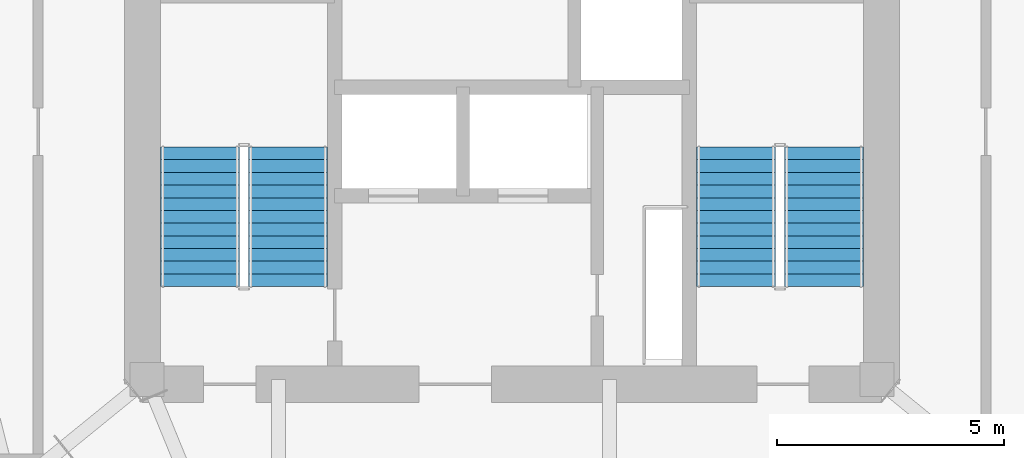
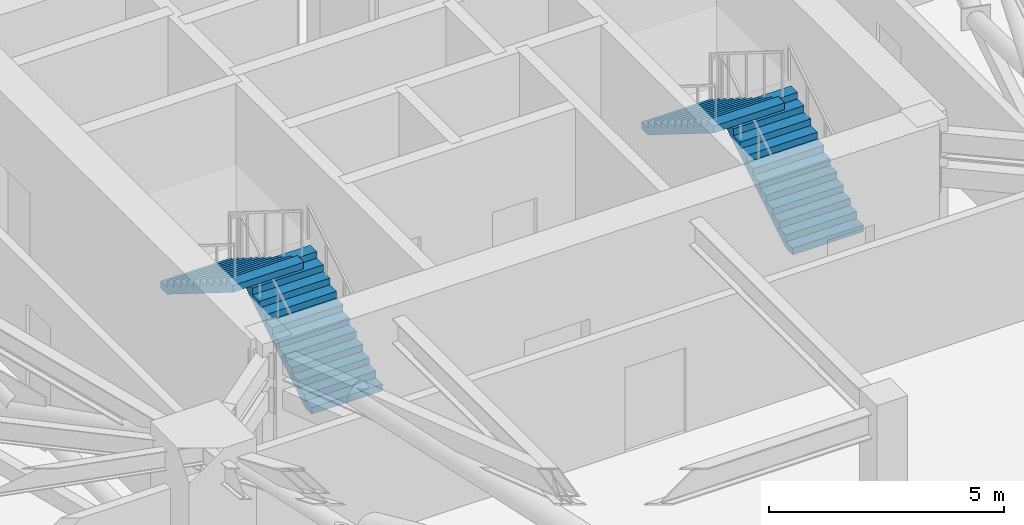
# One storey, part 14 of 15: 4 stair flights, 2 elements without a shape of their own.
"""IFC4 building model written with IfcOpenShell, lengths in metres."""

from ifc_helpers import new_model, si_unit, direction, frame, origin, place, context, subcontext, project, spatial, polyline, outline, extrude, material, type_object, element, aggregate, save


model = new_model("IFC4")

# Units and contexts
model_context = context("Model", 3, precision=1e-05, world=origin(), true_north=direction((0.0, 1.0)))
body_context = subcontext(model_context, "Body", "Model", "MODEL_VIEW")
ifc_project = project(units=[si_unit("LENGTHUNIT", "METRE"), si_unit("AREAUNIT", "SQUARE_METRE"), si_unit("VOLUMEUNIT", "CUBIC_METRE"), si_unit("PLANEANGLEUNIT", "RADIAN"), si_unit("MASSUNIT", "GRAM", prefix="KILO")], contexts=[model_context])

# Site, building, storey
site_placement = place(None, origin())
site = spatial("IfcSite", under=ifc_project, at=site_placement, CompositionType="ELEMENT")
building_placement = place(site_placement, origin())
building = spatial("IfcBuilding", under=site, at=building_placement, Name="Talyreon Biosciences Tower", CompositionType="ELEMENT")
storey_placement = place(building_placement, frame((0.0, 0.0, 118.800048828125)))
storey = spatial("IfcBuildingStorey", under=building, at=storey_placement, Name="L31", CompositionType="ELEMENT", Elevation=118.800048828125)

# Stair, stair flights
ifc_material = material(Name="Concrete C40/50", Category="concrete")
stair_type = type_object("IfcStairType", Name="DoglegEscapeStair_4200", PredefinedType="HALF_TURN_STAIR", material=ifc_material)
stair_1_placement = place(storey_placement, origin())
stair_1 = element("IfcStair", 1, at=stair_1_placement, inside=storey, type_object=stair_type, Name="L31 Core Escape Stair 1", PredefinedType="HALF_TURN_STAIR")
stair_flight_type = type_object("IfcStairFlightType", Name="PrecastStairFlight_4200", PredefinedType="STRAIGHT", material=ifc_material)
stair_flight_1_placement = place(storey_placement, frame((61.06005859375, 63.39990234375, 0.0), z_axis=(0.0, 0.0, 1.0), x_axis=(0.0, 1.0, 0.0)))
stair_flight_1 = element("IfcStairFlight", 2, at=stair_flight_1_placement, type_object=stair_flight_type, Name="ST-1 flight 1", NumberOfRisers=12, NumberOfTreads=11, PredefinedType="STRAIGHT", RiserHeight=0.175, TreadLength=0.28, context=body_context, shape_type="SweptSolid", body=[
    extrude(outline(polyline([(0.0, 0.0), (0.0, 0.175048828125), (0.280029296875, 0.175048828125), (0.280029296875, 0.35009765625), (0.56005859375, 0.35009765625), (0.56005859375, 0.52490234375), (0.840087890625, 0.52490234375), (0.840087890625, 0.699951171875), (1.1201171875, 0.699951171875), (1.1201171875, 0.875), (1.39990234375, 0.875), (1.39990234375, 1.050048828125), (1.679931640625, 1.050048828125), (1.679931640625, 1.22509765625), (1.9599609375, 1.22509765625), (1.9599609375, 1.39990234375), (2.239990234375, 1.39990234375), (2.239990234375, 1.574951171875), (2.52001953125, 1.574951171875), (2.52001953125, 1.75), (2.800048828125, 1.75), (2.800048828125, 1.925048828125), (3.080078125, 1.925048828125), (3.080078125, 2.10009765625), (3.080078125, 1.748291015625), (0.28271484375, 0.0), (0.0, 0.0)])), frame((0.0, 0.8701171875, 0.0), z_axis=(0.0, -1.0, 0.0), x_axis=(1.0, 0.0, 0.0)), (0.0, 0.0, 1.0), 1.739990234375),
])
stair_flight_2_placement = place(storey_placement, frame((59.1201171875, 66.47998046875, 2.099853515625), z_axis=(0.0, 0.0, 1.0), x_axis=(0.0, -1.0, 0.0)))
stair_flight_2 = element("IfcStairFlight", 3, at=stair_flight_2_placement, type_object=stair_flight_type, Name="ST-1 flight 2", NumberOfRisers=12, NumberOfTreads=11, PredefinedType="STRAIGHT", RiserHeight=0.175, TreadLength=0.28, context=body_context, shape_type="SweptSolid", body=[
    extrude(outline(polyline([(0.0, 0.0), (0.0, 0.175048828125), (0.280029296875, 0.175048828125), (0.280029296875, 0.35009765625), (0.56005859375, 0.35009765625), (0.56005859375, 0.52490234375), (0.840087890625, 0.52490234375), (0.840087890625, 0.699951171875), (1.1201171875, 0.699951171875), (1.1201171875, 0.875), (1.39990234375, 0.875), (1.39990234375, 1.050048828125), (1.679931640625, 1.050048828125), (1.679931640625, 1.22509765625), (1.9599609375, 1.22509765625), (1.9599609375, 1.39990234375), (2.239990234375, 1.39990234375), (2.239990234375, 1.574951171875), (2.52001953125, 1.574951171875), (2.52001953125, 1.75), (2.800048828125, 1.75), (2.800048828125, 1.925048828125), (3.080078125, 1.925048828125), (3.080078125, 2.10009765625), (3.080078125, 1.748291015625), (0.28271484375, 0.0), (0.0, 0.0)])), frame((0.0, 0.8701171875, 0.0), z_axis=(0.0, -1.0, 0.0), x_axis=(1.0, 0.0, 0.0)), (0.0, 0.0, 1.0), 1.739990234375),
])
aggregate(stair_1, [stair_flight_1, stair_flight_2])

stair_2_placement = place(storey_placement, origin())
stair_2 = element("IfcStair", 4, at=stair_2_placement, inside=storey, type_object=stair_type, Name="L31 Core Escape Stair 2", PredefinedType="HALF_TURN_STAIR")
stair_flight_3_placement = place(storey_placement, frame((72.8798828125, 63.39990234375, 0.0), z_axis=(0.0, 0.0, 1.0), x_axis=(0.0, 1.0, 0.0)))
stair_flight_3 = element("IfcStairFlight", 5, at=stair_flight_3_placement, type_object=stair_flight_type, Name="ST-2 flight 1", NumberOfRisers=12, NumberOfTreads=11, PredefinedType="STRAIGHT", RiserHeight=0.175, TreadLength=0.28, context=body_context, shape_type="SweptSolid", body=[
    extrude(outline(polyline([(0.0, 0.0), (0.0, 0.175048828125), (0.280029296875, 0.175048828125), (0.280029296875, 0.35009765625), (0.56005859375, 0.35009765625), (0.56005859375, 0.52490234375), (0.840087890625, 0.52490234375), (0.840087890625, 0.699951171875), (1.1201171875, 0.699951171875), (1.1201171875, 0.875), (1.39990234375, 0.875), (1.39990234375, 1.050048828125), (1.679931640625, 1.050048828125), (1.679931640625, 1.22509765625), (1.9599609375, 1.22509765625), (1.9599609375, 1.39990234375), (2.239990234375, 1.39990234375), (2.239990234375, 1.574951171875), (2.52001953125, 1.574951171875), (2.52001953125, 1.75), (2.800048828125, 1.75), (2.800048828125, 1.925048828125), (3.080078125, 1.925048828125), (3.080078125, 2.10009765625), (3.080078125, 1.748291015625), (0.28271484375, 0.0), (0.0, 0.0)])), frame((0.0, 0.8701171875, 0.0), z_axis=(0.0, -1.0, 0.0), x_axis=(1.0, 0.0, 0.0)), (0.0, 0.0, 1.0), 1.739990234375),
])
stair_flight_4_placement = place(storey_placement, frame((70.93994140625, 66.47998046875, 2.099853515625), z_axis=(0.0, 0.0, 1.0), x_axis=(0.0, -1.0, 0.0)))
stair_flight_4 = element("IfcStairFlight", 6, at=stair_flight_4_placement, type_object=stair_flight_type, Name="ST-2 flight 2", NumberOfRisers=12, NumberOfTreads=11, PredefinedType="STRAIGHT", RiserHeight=0.175, TreadLength=0.28, context=body_context, shape_type="SweptSolid", body=[
    extrude(outline(polyline([(0.0, 0.0), (0.0, 0.175048828125), (0.280029296875, 0.175048828125), (0.280029296875, 0.35009765625), (0.56005859375, 0.35009765625), (0.56005859375, 0.52490234375), (0.840087890625, 0.52490234375), (0.840087890625, 0.699951171875), (1.1201171875, 0.699951171875), (1.1201171875, 0.875), (1.39990234375, 0.875), (1.39990234375, 1.050048828125), (1.679931640625, 1.050048828125), (1.679931640625, 1.22509765625), (1.9599609375, 1.22509765625), (1.9599609375, 1.39990234375), (2.239990234375, 1.39990234375), (2.239990234375, 1.574951171875), (2.52001953125, 1.574951171875), (2.52001953125, 1.75), (2.800048828125, 1.75), (2.800048828125, 1.925048828125), (3.080078125, 1.925048828125), (3.080078125, 2.10009765625), (3.080078125, 1.748291015625), (0.28271484375, 0.0), (0.0, 0.0)])), frame((0.0, 0.8701171875, 0.0), z_axis=(0.0, -1.0, 0.0), x_axis=(1.0, 0.0, 0.0)), (0.0, 0.0, 1.0), 1.739990234375),
])
aggregate(stair_2, [stair_flight_3, stair_flight_4])

save(model, "model.ifc")
